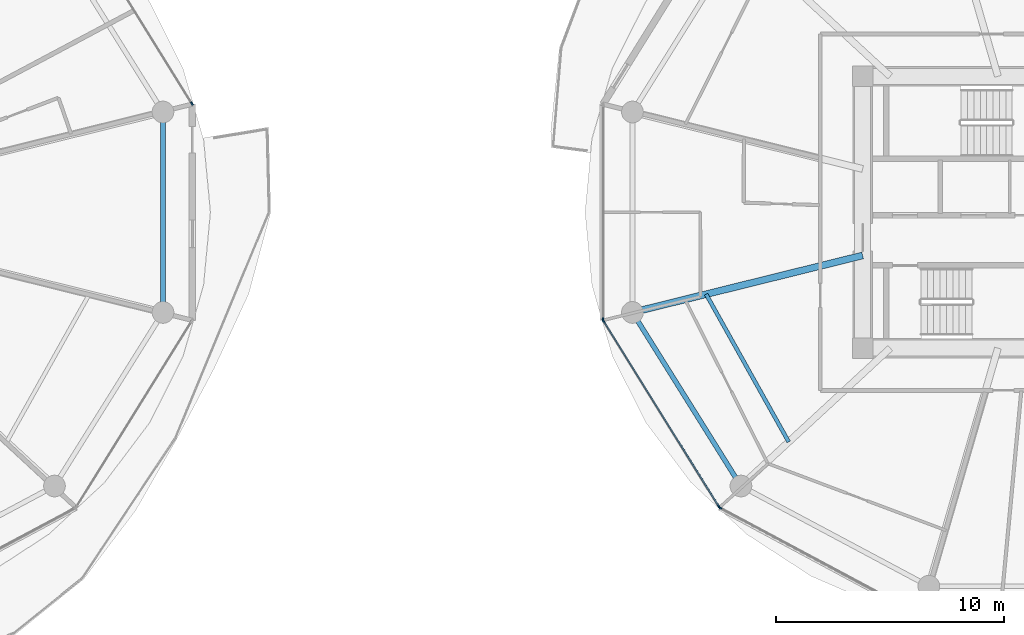
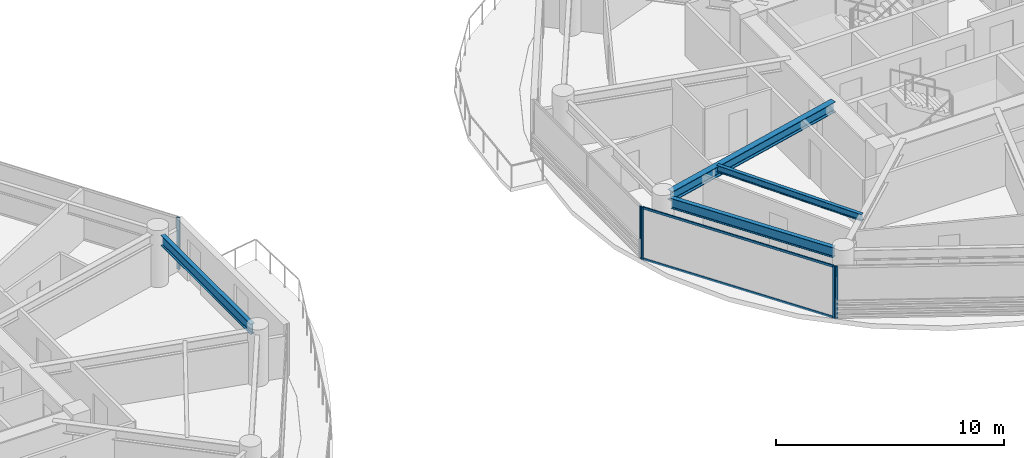
# One storey, part 6 of 27: 7 members, 4 beams, 4 elements without a shape of their own.
"""IFC4 building model written with IfcOpenShell, lengths in metres."""

from ifc_helpers import new_model, si_unit, direction, frame, origin, origin_2d, place, context, subcontext, project, spatial, rectangle, i_section, extrude, source, transform, mapped, material, layer, layer_set, material_profile, profile_set, type_object, type_shapes, element, aggregate, save


model = new_model("IFC4")

# Units and contexts
model_context = context("Model", 3, precision=1e-05, world=origin(), true_north=direction((0.0, 1.0)))
body_context = subcontext(model_context, "Body", "Model", "MODEL_VIEW")
ifc_project = project(units=[si_unit("LENGTHUNIT", "METRE"), si_unit("AREAUNIT", "SQUARE_METRE"), si_unit("VOLUMEUNIT", "CUBIC_METRE"), si_unit("PLANEANGLEUNIT", "RADIAN"), si_unit("MASSUNIT", "GRAM", prefix="KILO")], contexts=[model_context])

# Site, building, storey
site_placement = place(None, origin())
site = spatial("IfcSite", under=ifc_project, at=site_placement, CompositionType="ELEMENT")
building_placement = place(site_placement, origin())
building = spatial("IfcBuilding", under=site, at=building_placement, Name="Norrkilde Senior Care Towers", CompositionType="ELEMENT")
storey_placement = place(building_placement, frame((0.0, 0.0, 58.199951171875)))
storey = spatial("IfcBuildingStorey", under=building, at=storey_placement, Name="L17", CompositionType="ELEMENT", Elevation=58.199951171875)

# Beams
ifc_material_1 = material(Name="Steel S355", Category="steel")
ifc_material_profile_1 = material_profile(ifc_material_1, i_section(OverallWidth=0.2099609375, OverallDepth=0.550048828125, WebThickness=0.010986328125, FlangeThickness=0.01708984375, FilletRadius=0.02392578125, at=origin_2d()), Name="IPE 550")
ifc_profile_set_1 = profile_set([ifc_material_profile_1], Name="Steel S355")
beam_type_1 = type_object("IfcBeamType", Name="Perimeter Ring Spandrel Z1 IPE550", PredefinedType="SPANDREL", material=ifc_profile_set_1)
shared_shape_1 = source(origin(), body_context, "Body", "SweptSolid", [
    extrude(i_section(OverallWidth=0.2099609375, OverallDepth=0.550048828125, WebThickness=0.010986328125, FlangeThickness=0.01708984375, FilletRadius=0.02392578125, at=origin_2d()), origin(), (0.0, 0.0, 1.0), 8.090576171875),
])
beam_1_placement = place(storey_placement, frame((10.505859375, -4.755859375, 2.51513671875), z_axis=(0.530004364821, -0.84799491347, 0.0), x_axis=(0.84799491347, 0.530004364821, 0.0)))
element("IfcBeam", 1, at=beam_1_placement, inside=storey, type_object=beam_type_1, Name="L17 Drum E Perimeter Spandrel 07", PredefinedType="SPANDREL", context=body_context, shape_type="MappedRepresentation", body=[
    mapped(shared_shape_1, transform((0.0, 0.0, 0.0), x_axis=(1.0, 0.0, 0.0), y_axis=(0.0, 1.0, 0.0), z_axis=(0.0, 0.0, 1.0), scale=1.0)),
])
ifc_material_profile_2 = material_profile(ifc_material_1, i_section(OverallWidth=0.300048828125, OverallDepth=0.550048828125, WebThickness=0.014892578125, FlangeThickness=0.029052734375, FilletRadius=0.027099609375, at=origin_2d()), Name="HEB 550")
ifc_profile_set_2 = profile_set([ifc_material_profile_2], Name="Steel S355")
beam_type_2 = type_object("IfcBeamType", Name="Radial Floor Beam Z1 HEB550", PredefinedType="BEAM", material=ifc_profile_set_2)
shared_shape_2 = source(origin(), body_context, "Body", "SweptSolid", [
    extrude(i_section(OverallWidth=0.300048828125, OverallDepth=0.550048828125, WebThickness=0.014892578125, FlangeThickness=0.029052734375, FilletRadius=0.027099609375, at=origin_2d()), origin(), (0.0, 0.0, 1.0), 9.94384765625),
])
type_shapes(beam_type_2, [shared_shape_2])
beam_2_placement = place(storey_placement, frame((20.35009765625, -1.893310546875, 2.51513671875), z_axis=(-0.970707425182, -0.240264634718, 0.0), x_axis=(0.240264634718, -0.970707425182, 0.0)))
element("IfcBeam", 2, at=beam_2_placement, inside=storey, type_object=beam_type_2, Name="L17 Drum E Radial Floor Beam 07", PredefinedType="BEAM", context=body_context, shape_type="MappedRepresentation", body=[
    mapped(shared_shape_2, transform((0.0, 0.0, 0.0), x_axis=(1.0, 0.0, 0.0), y_axis=(0.0, 1.0, 0.0), z_axis=(0.0, 0.0, 1.0), scale=1.0)),
])
shared_shape_3 = source(origin(), body_context, "Body", "SweptSolid", [
    extrude(i_section(OverallWidth=0.2099609375, OverallDepth=0.550048828125, WebThickness=0.010986328125, FlangeThickness=0.01708984375, FilletRadius=0.02392578125, at=origin_2d()), origin(), (0.0, 0.0, 1.0), 7.90380859375),
])
type_shapes(beam_type_1, [shared_shape_1, shared_shape_3])
beam_3_placement = place(storey_placement, frame((-10.275146484375, -3.951904296875, 2.51513671875), z_axis=(0.0, 1.0, 0.0), x_axis=(-1.0, 0.0, 0.0)))
element("IfcBeam", 3, at=beam_3_placement, inside=storey, type_object=beam_type_1, Name="L17 Drum W Perimeter Spandrel 12", PredefinedType="SPANDREL", context=body_context, shape_type="MappedRepresentation", body=[
    mapped(shared_shape_3, transform((0.0, 0.0, 0.0), x_axis=(1.0, 0.0, 0.0), y_axis=(0.0, 1.0, 0.0), z_axis=(0.0, 0.0, 1.0), scale=1.0)),
])
ifc_material_profile_3 = material_profile(ifc_material_1, i_section(OverallWidth=0.169921875, OverallDepth=0.360107421875, WebThickness=0.008056640625, FlangeThickness=0.0126953125, FilletRadius=0.01806640625, at=origin_2d()), Name="IPE 360")
ifc_profile_set_3 = profile_set([ifc_material_profile_3], Name="Steel S355")
beam_type_3 = type_object("IfcBeamType", Name="Secondary Floor Joist IPE360", PredefinedType="JOIST", material=ifc_profile_set_3)
shared_shape_4 = source(origin(), body_context, "Body", "SweptSolid", [
    extrude(i_section(OverallWidth=0.169921875, OverallDepth=0.360107421875, WebThickness=0.008056640625, FlangeThickness=0.0126953125, FilletRadius=0.01806640625, at=origin_2d()), origin(), (0.0, 0.0, 1.0), 7.40771484375),
])
type_shapes(beam_type_3, [shared_shape_4])
beam_4_placement = place(storey_placement, frame((13.499267578125, -3.589111328125, 2.610107421875), z_axis=(0.488167754092, -0.872749817453, 0.0), x_axis=(0.872749817453, 0.488167754092, 0.0)))
element("IfcBeam", 4, at=beam_4_placement, inside=storey, type_object=beam_type_3, Name="L17 Drum E Secondary Floor Joist 3", PredefinedType="JOIST", context=body_context, shape_type="MappedRepresentation", body=[
    mapped(shared_shape_4, transform((0.0, 0.0, 0.0), x_axis=(1.0, 0.0, 0.0), y_axis=(0.0, 1.0, 0.0), z_axis=(0.0, 0.0, 1.0), scale=1.0)),
])

# Curtain wall, member
ifc_material_2 = material(Name="Triple Low-E Insulated Glazing", Category="glass")
ifc_layer = layer(ifc_material_2, 0.199951171875)
ifc_layer_set = layer_set([ifc_layer], Name="Triple Low-E Insulated Glazing")
curtain_wall_type = type_object("IfcCurtainWallType", Name="CW2 Zone 1 Memory Care Curtain Wall", PredefinedType="NOTDEFINED", material=ifc_layer_set)
curtain_wall_1_placement = place(storey_placement, origin())
curtain_wall_1 = element("IfcCurtainWall", 5, at=curtain_wall_1_placement, inside=storey, type_object=curtain_wall_type, Name="L17 Drum W Curtain Wall 00", PredefinedType="NOTDEFINED")
ifc_material_3 = material(Name="Anodised Aluminium", Category="aluminium")
ifc_material_profile_4 = material_profile(ifc_material_3, rectangle(XDim=0.06494140625, YDim=0.159912109375, at=origin_2d()), Name="ALU MULL 65x160")
ifc_profile_set_4 = profile_set([ifc_material_profile_4], Name="Anodised Aluminium")
member_type_1 = type_object("IfcMemberType", Name="Curtain Wall Mullion Z1-Z2 65x160", PredefinedType="MULLION", material=ifc_profile_set_4)
shared_shape_5 = source(origin(), body_context, "Body", "SweptSolid", [
    extrude(rectangle(XDim=0.06494140625, YDim=0.159912109375, at=origin_2d()), origin(), (0.0, 0.0, 1.0), 2.7900390625),
])
type_shapes(member_type_1, [shared_shape_5])
member_1_placement = place(storey_placement, frame((-9.0078125, 4.7587890625, 0.0), z_axis=(0.0, 0.0, 1.0), x_axis=(0.849305943117, 0.527900951871, 0.0)))
member_1 = element("IfcMember", 6, at=member_1_placement, type_object=member_type_1, Name="CW-2 mullion 2", PredefinedType="MULLION", context=body_context, shape_type="MappedRepresentation", body=[
    mapped(shared_shape_5, transform((0.0, 0.0, 0.0), x_axis=(1.0, 0.0, 0.0), y_axis=(0.0, 1.0, 0.0), z_axis=(0.0, 0.0, 1.0), scale=1.0)),
])
aggregate(curtain_wall_1, [member_1])

curtain_wall_2_placement = place(storey_placement, origin())
curtain_wall_2 = element("IfcCurtainWall", 7, at=curtain_wall_2_placement, inside=storey, type_object=curtain_wall_type, Name="L17 Drum E Curtain Wall 05", PredefinedType="NOTDEFINED")
member_2_placement = place(storey_placement, frame((8.990478515625, -4.69873046875, 0.0), z_axis=(0.0, 0.0, 1.0), x_axis=(-1.0, 0.0, 0.0)))
member_2 = element("IfcMember", 8, at=member_2_placement, type_object=member_type_1, Name="CW-2 mullion 1", PredefinedType="MULLION", context=body_context, shape_type="MappedRepresentation", body=[
    mapped(shared_shape_5, transform((0.0, 0.0, 0.0), x_axis=(1.0, 0.0, 0.0), y_axis=(0.0, 1.0, 0.0), z_axis=(0.0, 0.0, 1.0), scale=1.0)),
])
aggregate(curtain_wall_2, [member_2])

# Curtain wall, members
curtain_wall_3_placement = place(storey_placement, origin())
curtain_wall_3 = element("IfcCurtainWall", 9, at=curtain_wall_3_placement, inside=storey, type_object=curtain_wall_type, Name="L17 Drum E Curtain Wall 06", PredefinedType="NOTDEFINED")
member_3_placement = place(storey_placement, frame((14.06689453125, -12.898193359375, 0.0), z_axis=(0.0, 0.0, 1.0), x_axis=(-0.849305943117, -0.527900951871, 0.0)))
member_3 = element("IfcMember", 10, at=member_3_placement, type_object=member_type_1, Name="CW-2 mullion 1", PredefinedType="MULLION", context=body_context, shape_type="MappedRepresentation", body=[
    mapped(shared_shape_5, transform((0.0, 0.0, 0.0), x_axis=(1.0, 0.0, 0.0), y_axis=(0.0, 1.0, 0.0), z_axis=(0.0, 0.0, 1.0), scale=1.0)),
])
member_4_placement = place(storey_placement, frame((9.0078125, -4.7587890625, 0.0), z_axis=(0.0, 0.0, 1.0), x_axis=(-0.849305943117, -0.527900951871, 0.0)))
member_4 = element("IfcMember", 11, at=member_4_placement, type_object=member_type_1, Name="CW-2 mullion 2", PredefinedType="MULLION", context=body_context, shape_type="MappedRepresentation", body=[
    mapped(shared_shape_5, transform((0.0, 0.0, 0.0), x_axis=(1.0, 0.0, 0.0), y_axis=(0.0, 1.0, 0.0), z_axis=(0.0, 0.0, 1.0), scale=1.0)),
])

# Curtain wall, member
curtain_wall_4_placement = place(storey_placement, origin())
curtain_wall_4 = element("IfcCurtainWall", 12, at=curtain_wall_4_placement, inside=storey, type_object=curtain_wall_type, Name="L17 Drum E Curtain Wall 07", PredefinedType="NOTDEFINED")
member_5_placement = place(storey_placement, frame((14.11279296875, -12.941162109375, 0.0), z_axis=(0.0, 0.0, 1.0), x_axis=(-0.472607802456, -0.881272866403, 0.0)))
member_5 = element("IfcMember", 13, at=member_5_placement, type_object=member_type_1, Name="CW-2 mullion 2", PredefinedType="MULLION", context=body_context, shape_type="MappedRepresentation", body=[
    mapped(shared_shape_5, transform((0.0, 0.0, 0.0), x_axis=(1.0, 0.0, 0.0), y_axis=(0.0, 1.0, 0.0), z_axis=(0.0, 0.0, 1.0), scale=1.0)),
])
aggregate(curtain_wall_4, [member_5])

# Member
ifc_material_profile_5 = material_profile(ifc_material_3, rectangle(XDim=0.06005859375, YDim=0.1201171875, at=origin_2d()), Name="ALU TRAN 60x120")
ifc_profile_set_5 = profile_set([ifc_material_profile_5], Name="Anodised Aluminium")
member_type_2 = type_object("IfcMemberType", Name="Curtain Wall Transom Typical 60x120", PredefinedType="USERDEFINED", material=ifc_profile_set_5)
shared_shape_6 = source(origin(), body_context, "Body", "SweptSolid", [
    extrude(rectangle(XDim=0.06005859375, YDim=0.1201171875, at=origin_2d()), origin(), (0.0, 0.0, 1.0), 9.5185546875),
])
type_shapes(member_type_2, [shared_shape_6])
member_6_placement = place(storey_placement, frame((14.0498046875, -12.87060546875, 0.030029296875), z_axis=(-0.527901620669, 0.849305527413, 0.0), x_axis=(-0.849305527413, -0.527901620669, 0.0)))
member_6 = element("IfcMember", 14, at=member_6_placement, type_object=member_type_2, Name="CW-2 transom 1.1", ObjectType="TRANSOM", PredefinedType="USERDEFINED", context=body_context, shape_type="MappedRepresentation", body=[
    mapped(shared_shape_6, transform((0.0, 0.0, 0.0), x_axis=(1.0, 0.0, 0.0), y_axis=(0.0, 1.0, 0.0), z_axis=(0.0, 0.0, 1.0), scale=1.0)),
])

member_7_placement = place(storey_placement, frame((14.0498046875, -12.87060546875, 2.760009765625), z_axis=(-0.527901620669, 0.849305527413, 0.0), x_axis=(-0.849305527413, -0.527901620669, 0.0)))
member_7 = element("IfcMember", 15, at=member_7_placement, type_object=member_type_2, Name="CW-2 transom 1.2", ObjectType="TRANSOM", PredefinedType="USERDEFINED", context=body_context, shape_type="MappedRepresentation", body=[
    mapped(shared_shape_6, transform((0.0, 0.0, 0.0), x_axis=(1.0, 0.0, 0.0), y_axis=(0.0, 1.0, 0.0), z_axis=(0.0, 0.0, 1.0), scale=1.0)),
])

aggregate(curtain_wall_3, [member_3, member_4, member_6, member_7])

save(model, "model.ifc")
